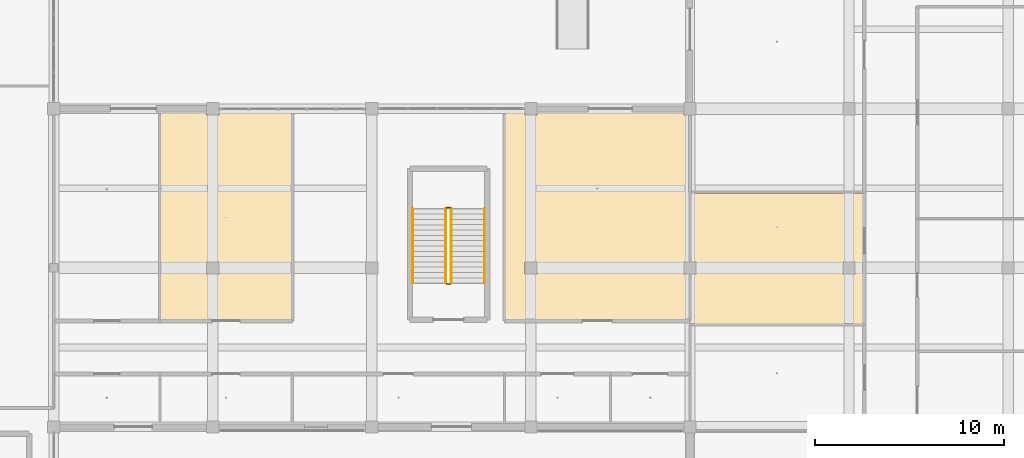
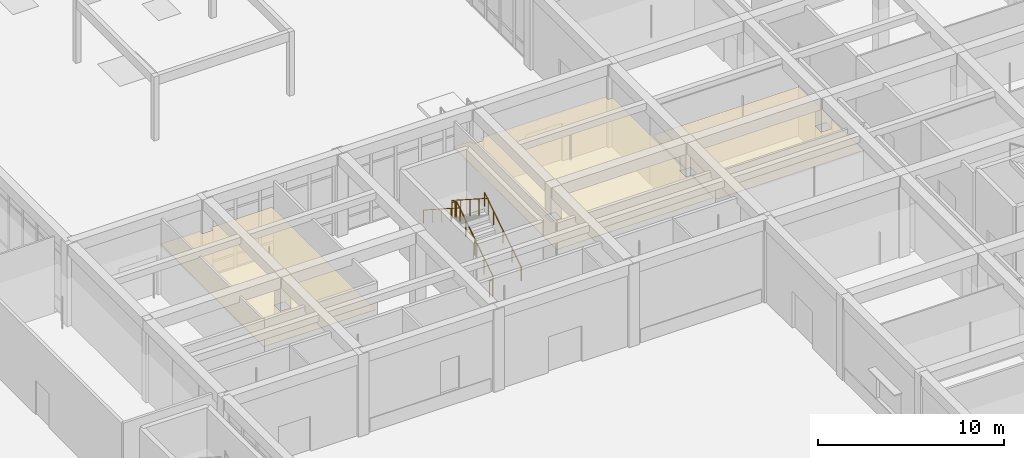
# One storey, part 161 of 167: 6 railings, 3 coverings.
"""IFC4 building model written with IfcOpenShell, lengths in metres."""

from ifc_helpers import new_model, si_unit, direction, frame, origin, origin_2d, place, context, subcontext, project, spatial, polyline, circle, outline, extrude, material, layer, layer_set, type_object, element, save


model = new_model("IFC4")

# Units and contexts
model_context = context("Model", 3, precision=1e-05, world=origin(), true_north=direction((0.0, 1.0)))
body_context = subcontext(model_context, "Body", "Model", "MODEL_VIEW")
ifc_project = project(units=[si_unit("LENGTHUNIT", "METRE"), si_unit("AREAUNIT", "SQUARE_METRE"), si_unit("VOLUMEUNIT", "CUBIC_METRE"), si_unit("PLANEANGLEUNIT", "RADIAN"), si_unit("MASSUNIT", "GRAM", prefix="KILO")], contexts=[model_context])

# Site, building, storey
site_placement = place(None, origin())
site = spatial("IfcSite", under=ifc_project, at=site_placement, CompositionType="ELEMENT")
building_placement = place(site_placement, origin())
building = spatial("IfcBuilding", under=site, at=building_placement, Name="Varncliffe General Hospital", CompositionType="ELEMENT")
storey_placement = place(building_placement, origin())
storey = spatial("IfcBuildingStorey", under=building, at=storey_placement, Name="L00", CompositionType="ELEMENT", Elevation=0.0)

# Coverings
ifc_material_1 = material(Name="Hygienic antimicrobial acoustic suspended ceiling tile", Category="gypsum")
ifc_layer = layer(ifc_material_1, 0.02490234375)
ifc_layer_set = layer_set([ifc_layer], Name="Hygienic antimicrobial acoustic suspended ceiling tile")
covering_type = type_object("IfcCoveringType", Name="Antimicrobial Acoustic Suspended Ceiling CLG44", PredefinedType="CEILING", material=ifc_layer_set)
covering_1_placement = place(storey_placement, frame((0.0, 0.0, 3.175048828125)))
element("IfcCovering", 1, at=covering_1_placement, inside=storey, type_object=covering_type, Name="L00 Orthopaedic Fracture Cast Clinic 92 Suspended Ceiling", PredefinedType="CEILING", context=body_context, shape_type="SweptSolid", body=[
    extrude(outline(polyline([(151.239990234375, 36.360107421875), (160.360107421875, 36.360107421875), (160.360107421875, 29.43994140625), (151.239990234375, 29.43994140625), (151.239990234375, 32.074951171875), (151.52490234375, 32.074951171875), (151.52490234375, 32.72509765625), (151.239990234375, 32.72509765625), (151.239990234375, 36.360107421875)]), holes=[polyline([(159.925048828125, 32.074951171875), (159.925048828125, 32.72509765625), (159.27490234375, 32.72509765625), (159.27490234375, 32.074951171875), (159.925048828125, 32.074951171875)])]), origin(), (0.0, 0.0, 1.0), 0.02490234375),
])
covering_2_placement = place(storey_placement, frame((0.0, 0.0, 3.175048828125)))
element("IfcCovering", 2, at=covering_2_placement, inside=storey, type_object=covering_type, Name="L00 Orthopaedic Fracture Cast Clinic 107 Suspended Ceiling", PredefinedType="CEILING", context=body_context, shape_type="SweptSolid", body=[
    extrude(outline(polyline([(130.159912109375, 40.760009765625), (130.159912109375, 29.639892578125), (123.239990234375, 29.639892578125), (123.239990234375, 40.760009765625), (125.675048828125, 40.760009765625), (125.675048828125, 40.47509765625), (126.324951171875, 40.47509765625), (126.324951171875, 40.760009765625), (130.159912109375, 40.760009765625)]), holes=[polyline([(126.324951171875, 32.074951171875), (126.324951171875, 32.72509765625), (125.675048828125, 32.72509765625), (125.675048828125, 32.074951171875), (126.324951171875, 32.074951171875)])]), origin(), (0.0, 0.0, 1.0), 0.02490234375),
])
covering_3_placement = place(storey_placement, frame((0.0, 0.0, 3.175048828125)))
element("IfcCovering", 3, at=covering_3_placement, inside=storey, type_object=covering_type, Name="L00 Orthopaedic Fracture Cast Clinic 108 Suspended Ceiling", PredefinedType="CEILING", context=body_context, shape_type="SweptSolid", body=[
    extrude(outline(polyline([(150.875, 32.72509765625), (150.875, 32.074951171875), (151.159912109375, 32.074951171875), (151.159912109375, 29.639892578125), (141.43994140625, 29.639892578125), (141.43994140625, 40.760009765625), (142.47509765625, 40.760009765625), (142.47509765625, 40.47509765625), (143.125, 40.47509765625), (143.125, 40.760009765625), (150.875, 40.760009765625), (150.875, 40.47509765625), (151.159912109375, 40.47509765625), (151.159912109375, 32.72509765625), (150.875, 32.72509765625)]), holes=[polyline([(143.125, 32.074951171875), (143.125, 32.72509765625), (142.47509765625, 32.72509765625), (142.47509765625, 32.074951171875), (143.125, 32.074951171875)])]), origin(), (0.0, 0.0, 1.0), 0.02490234375),
])

# Railings
ifc_material_2 = material(Name="Powder-coated hospital steel guardrail and handrail", Category="steel")
railing_type_1 = type_object("IfcRailingType", Name="Stair and Ramp Handrail HR46", PredefinedType="HANDRAIL", material=ifc_material_2)
railing_1_placement = place(storey_placement, frame((140.35009765625, 31.60009765625, 0.364013671875)))
element("IfcRailing", 4, at=railing_1_placement, inside=storey, type_object=railing_type_1, Name="L00 ST15 stair handrail 1", PredefinedType="HANDRAIL", context=body_context, shape_type="SweptSolid", body=[
    extrude(circle(Radius=0.02392578125, at=origin_2d()), frame((0.0, 0.0, 0.8759765625), z_axis=(0.0, 0.841171666519, 0.540768182723), x_axis=(-1.0, 0.0, 0.0)), (0.0, 0.0, 1.0), 4.66015625),
    extrude(circle(Radius=0.02099609375, at=origin_2d()), origin(), (0.0, 0.0, 1.0), 0.851806640625),
    extrude(circle(Radius=0.02099609375, at=origin_2d()), frame((0.0, 0.97998046875, 0.6298828125)), (0.0, 0.0, 1.0), 0.851806640625),
    extrude(circle(Radius=0.02099609375, at=origin_2d()), frame((0.0, 1.9599609375, 1.260009765625)), (0.0, 0.0, 1.0), 0.851806640625),
    extrude(circle(Radius=0.02099609375, at=origin_2d()), frame((0.0, 2.93994140625, 1.89013671875)), (0.0, 0.0, 1.0), 0.851806640625),
    extrude(circle(Radius=0.02099609375, at=origin_2d()), frame((0.0, 3.919921875, 2.52001953125)), (0.0, 0.0, 1.0), 0.851806640625),
])
railing_2_placement = place(storey_placement, frame((136.550048828125, 35.52001953125, 3.06396484375)))
element("IfcRailing", 5, at=railing_2_placement, inside=storey, type_object=railing_type_1, Name="L00 ST15 stair handrail 2", PredefinedType="HANDRAIL", context=body_context, shape_type="SweptSolid", body=[
    extrude(circle(Radius=0.02392578125, at=origin_2d()), frame((0.0, 0.0, 0.8759765625), z_axis=(0.0, -0.841171666519, 0.540768182723), x_axis=(1.0, 0.0, 0.0)), (0.0, 0.0, 1.0), 4.66015625),
    extrude(circle(Radius=0.02099609375, at=origin_2d()), origin(), (0.0, 0.0, 1.0), 0.851806640625),
    extrude(circle(Radius=0.02099609375, at=origin_2d()), frame((0.0, -0.97998046875, 0.6298828125)), (0.0, 0.0, 1.0), 0.851806640625),
    extrude(circle(Radius=0.02099609375, at=origin_2d()), frame((0.0, -1.9599609375, 1.260009765625)), (0.0, 0.0, 1.0), 0.851806640625),
    extrude(circle(Radius=0.02099609375, at=origin_2d()), frame((0.0, -2.93994140625, 1.89013671875)), (0.0, 0.0, 1.0), 0.851806640625),
    extrude(circle(Radius=0.02099609375, at=origin_2d()), frame((0.0, -3.919921875, 2.52001953125)), (0.0, 0.0, 1.0), 0.851806640625),
])
railing_type_2 = type_object("IfcRailingType", Name="Stairwell Guardrail SG49", PredefinedType="GUARDRAIL", material=ifc_material_2)
railing_3_placement = place(storey_placement, frame((138.60009765625, 31.60009765625, 0.179931640625)))
element("IfcRailing", 6, at=railing_3_placement, inside=storey, type_object=railing_type_2, Name="L00 ST15 stair guard 1", PredefinedType="GUARDRAIL", context=body_context, shape_type="SweptSolid", body=[
    extrude(circle(Radius=0.02392578125, at=origin_2d()), frame((0.0, 0.0, 1.076171875), z_axis=(0.0, 0.841171666519, 0.540768182723), x_axis=(-1.0, 0.0, 0.0)), (0.0, 0.0, 1.0), 4.66015625),
    extrude(circle(Radius=0.02099609375, at=origin_2d()), origin(), (0.0, 0.0, 1.0), 1.052001953125),
    extrude(circle(Radius=0.02099609375, at=origin_2d()), frame((0.0, 0.97998046875, 0.6298828125)), (0.0, 0.0, 1.0), 1.052001953125),
    extrude(circle(Radius=0.02099609375, at=origin_2d()), frame((0.0, 1.9599609375, 1.260009765625)), (0.0, 0.0, 1.0), 1.052001953125),
    extrude(circle(Radius=0.02099609375, at=origin_2d()), frame((0.0, 2.93994140625, 1.89013671875)), (0.0, 0.0, 1.0), 1.052001953125),
    extrude(circle(Radius=0.02099609375, at=origin_2d()), frame((0.0, 3.919921875, 2.52001953125)), (0.0, 0.0, 1.0), 1.052001953125),
])
railing_4_placement = place(storey_placement, frame((138.550048828125, 35.570068359375, 2.699951171875)))
element("IfcRailing", 7, at=railing_4_placement, inside=storey, type_object=railing_type_2, Name="L00 ST15 stair guard 2", PredefinedType="GUARDRAIL", context=body_context, shape_type="SweptSolid", body=[
    extrude(circle(Radius=0.02392578125, at=origin_2d()), frame((0.0, 0.0, 1.076171875), z_axis=(-1.0, 0.0, 0.0), x_axis=(0.0, -1.0, 0.0)), (0.0, 0.0, 1.0), 0.199951171875),
    extrude(circle(Radius=0.02099609375, at=origin_2d()), origin(), (0.0, 0.0, 1.0), 1.052001953125),
    extrude(circle(Radius=0.02099609375, at=origin_2d()), frame((-0.199951171875, 0.0, 0.0)), (0.0, 0.0, 1.0), 1.052001953125),
])
railing_5_placement = place(storey_placement, frame((138.300048828125, 35.52001953125, 2.8798828125)))
element("IfcRailing", 8, at=railing_5_placement, inside=storey, type_object=railing_type_2, Name="L00 ST15 stair guard 3", PredefinedType="GUARDRAIL", context=body_context, shape_type="SweptSolid", body=[
    extrude(circle(Radius=0.02392578125, at=origin_2d()), frame((0.0, 0.0, 1.076171875), z_axis=(0.0, -0.841171666519, 0.540768182723), x_axis=(1.0, 0.0, 0.0)), (0.0, 0.0, 1.0), 4.66015625),
    extrude(circle(Radius=0.02099609375, at=origin_2d()), origin(), (0.0, 0.0, 1.0), 1.052001953125),
    extrude(circle(Radius=0.02099609375, at=origin_2d()), frame((0.0, -0.97998046875, 0.6298828125)), (0.0, 0.0, 1.0), 1.052001953125),
    extrude(circle(Radius=0.02099609375, at=origin_2d()), frame((0.0, -1.9599609375, 1.260009765625)), (0.0, 0.0, 1.0), 1.052001953125),
    extrude(circle(Radius=0.02099609375, at=origin_2d()), frame((0.0, -2.93994140625, 1.89013671875)), (0.0, 0.0, 1.0), 1.052001953125),
    extrude(circle(Radius=0.02099609375, at=origin_2d()), frame((0.0, -3.919921875, 2.52001953125)), (0.0, 0.0, 1.0), 1.052001953125),
])
railing_6_placement = place(storey_placement, frame((138.550048828125, 31.550048828125, 0.0)))
element("IfcRailing", 9, at=railing_6_placement, inside=storey, type_object=railing_type_2, Name="L00 ST15 stair guard 4", PredefinedType="GUARDRAIL", context=body_context, shape_type="SweptSolid", body=[
    extrude(circle(Radius=0.02392578125, at=origin_2d()), frame((0.0, 0.0, 1.076171875), z_axis=(-1.0, 0.0, 0.0), x_axis=(0.0, -1.0, 0.0)), (0.0, 0.0, 1.0), 0.199951171875),
    extrude(circle(Radius=0.02099609375, at=origin_2d()), origin(), (0.0, 0.0, 1.0), 1.052001953125),
    extrude(circle(Radius=0.02099609375, at=origin_2d()), frame((-0.199951171875, 0.0, 0.0)), (0.0, 0.0, 1.0), 1.052001953125),
])

save(model, "model.ifc")
